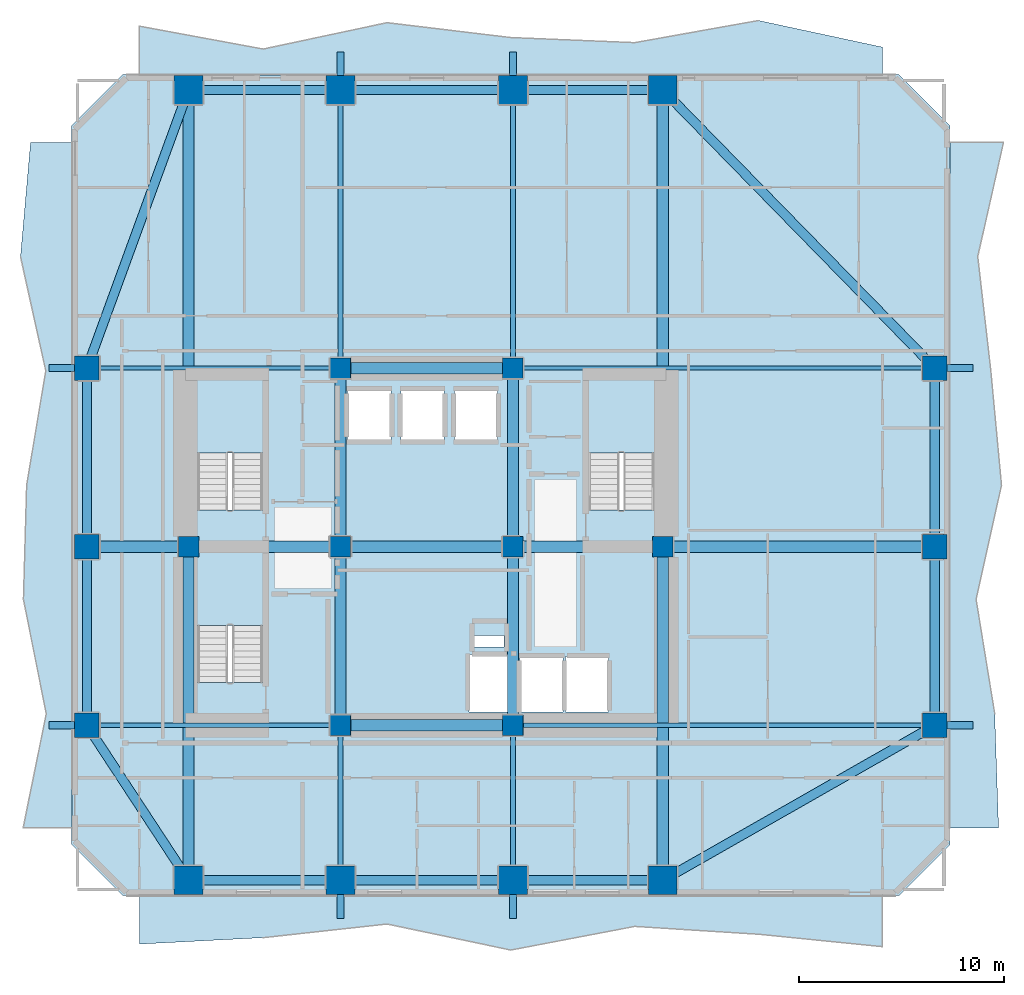
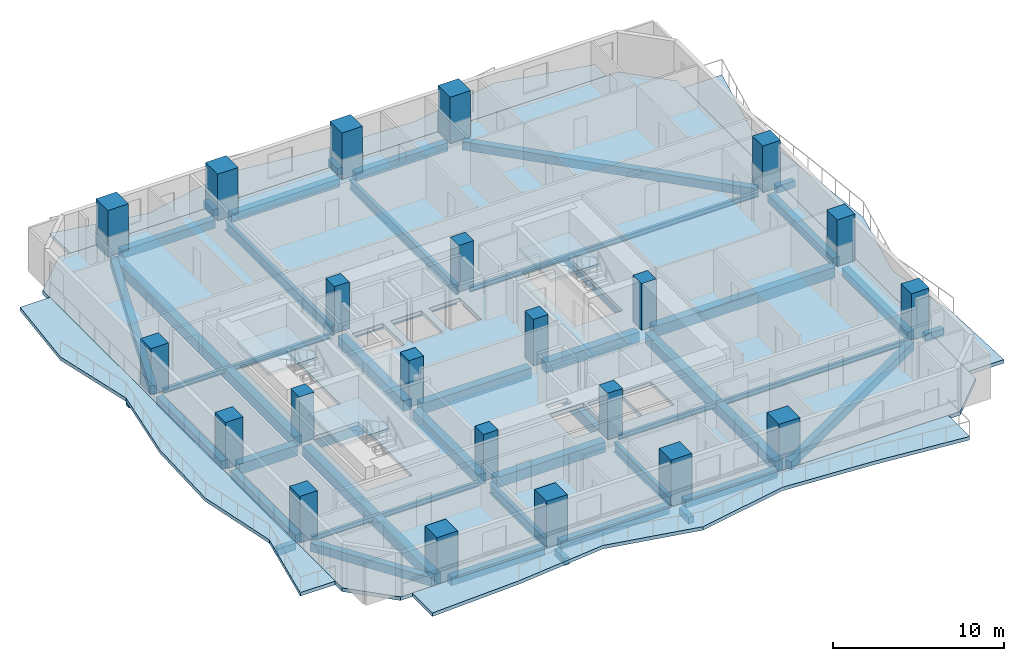
# One storey, part 1 of 11: 45 beams, 22 columns, 8 slabs, 3 elements without a shape of their own.
"""IFC4 building model written with IfcOpenShell, lengths in metres."""

from ifc_helpers import new_model, si_unit, direction, frame, origin, origin_2d, place, context, subcontext, project, spatial, polyline, rectangle, i_section, outline, extrude, material, layer, layer_set, material_profile, profile_set, type_object, element, aggregate, save


model = new_model("IFC4")

# Units and contexts
model_context = context("Model", 3, precision=1e-05, world=origin(), true_north=direction((0.0, 1.0)))
body_context = subcontext(model_context, "Body", "Model", "MODEL_VIEW")
ifc_project = project(units=[si_unit("LENGTHUNIT", "METRE"), si_unit("AREAUNIT", "SQUARE_METRE"), si_unit("VOLUMEUNIT", "CUBIC_METRE"), si_unit("PLANEANGLEUNIT", "RADIAN"), si_unit("MASSUNIT", "GRAM", prefix="KILO")], contexts=[model_context])

# Site, building, storey
site_placement = place(None, origin())
site = spatial("IfcSite", under=ifc_project, at=site_placement, CompositionType="ELEMENT")
building_placement = place(site_placement, origin())
building = spatial("IfcBuilding", under=site, at=building_placement, Name="Solanera Arch Residences", CompositionType="ELEMENT")
storey_placement = place(building_placement, frame((0.0, 0.0, 65.159912109375)))
storey = spatial("IfcBuildingStorey", under=building, at=storey_placement, Name="L18", CompositionType="ELEMENT", Elevation=65.159912109375)

# Columns
ifc_material_1 = material(Name="Concrete C55/67 (f'c = 60 MPa)", Category="concrete")
ifc_material_profile_1 = material_profile(ifc_material_1, rectangle(XDim=1.0, YDim=1.0, at=origin_2d()))
ifc_profile_set_1 = profile_set([ifc_material_profile_1], Name="Concrete C55/67 (f'c = 60 MPa)")
column_type_1 = type_object("IfcColumnType", Name="Structural Column RC-COL-1000X1000", PredefinedType="COLUMN", material=ifc_profile_set_1)
for number, where, z_axis, x_axis, name in (
    (1, (20.800048828125, 22.0, 0.0), (0.0, 0.0, 1.0), (1.0, 0.0, 0.0), "COL-L18-CB-SW"),
    (2, (29.199951171875, 22.0, 0.0), (0.0, 0.0, 1.0), (1.0, 0.0, 0.0), "COL-L18-CB-SE"),
    (3, (20.800048828125, 39.39990234375, 0.0), (0.0, 0.0, 1.0), (1.0, 0.0, 0.0), "COL-L18-CB-NW"),
    (4, (29.199951171875, 39.39990234375, 0.0), (0.0, 0.0, 1.0), (1.0, 0.0, 0.0), "COL-L18-CB-NE"),
    (5, (13.39990234375, 30.699951171875, 0.0), (0.0, 0.0, 1.0), (1.0, 0.0, 0.0), "COL-L18-CB-WW"),
    (6, (36.5, 30.699951171875, 0.0), (0.0, 0.0, 1.0), (1.0, 0.0, 0.0), "COL-L18-CB-EE"),
    (7, (20.800048828125, 30.699951171875, 0.0), (0.0, 0.0, 1.0), (1.0, 0.0, 0.0), "COL-L18-CORE-W"),
    (8, (29.199951171875, 30.699951171875, 0.0), (0.0, 0.0, 1.0), (1.0, 0.0, 0.0), "COL-L18-CORE-E"),
):
    element("IfcColumn", number, at=place(storey_placement, frame(where, z_axis=z_axis, x_axis=x_axis)), inside=storey, type_object=column_type_1, Name=name, PredefinedType="COLUMN", context=body_context, shape_type="SweptSolid", body=[
        extrude(rectangle(XDim=1.0, YDim=1.0, at=origin_2d()), origin(), (0.0, 0.0, 1.0), 3.320068359375),
    ])
ifc_material_2 = material(Name="Concrete C55/67 (f'c = 60 MPa)", Category="concrete")
ifc_material_profile_2 = material_profile(ifc_material_2, rectangle(XDim=1.199951171875, YDim=1.199951171875, at=origin_2d()))
ifc_profile_set_2 = profile_set([ifc_material_profile_2], Name="Concrete C55/67 (f'c = 60 MPa)")
column_type_2 = type_object("IfcColumnType", Name="Structural Column RC-COL-1200X1200", PredefinedType="COLUMN", material=ifc_profile_set_2)
for number, where, z_axis, x_axis, name in (
    (9, (8.449951171875, 22.0, 0.0), (0.0, 0.0, 1.0), (1.0, 0.0, 0.0), "COL-L18-TWR-09"),
    (10, (49.75, 22.0, 0.0), (0.0, 0.0, 1.0), (1.0, 0.0, 0.0), "COL-L18-TWR-10"),
    (11, (8.449951171875, 30.699951171875, 0.0), (0.0, 0.0, 1.0), (1.0, 0.0, 0.0), "COL-L18-TWR-11"),
    (12, (49.75, 30.699951171875, 0.0), (0.0, 0.0, 1.0), (1.0, 0.0, 0.0), "COL-L18-TWR-12"),
    (13, (8.449951171875, 39.39990234375, 0.0), (0.0, 0.0, 1.0), (1.0, 0.0, 0.0), "COL-L18-TWR-13"),
    (14, (49.75, 39.39990234375, 0.0), (0.0, 0.0, 1.0), (1.0, 0.0, 0.0), "COL-L18-TWR-14"),
):
    element("IfcColumn", number, at=place(storey_placement, frame(where, z_axis=z_axis, x_axis=x_axis)), inside=storey, type_object=column_type_2, Name=name, PredefinedType="COLUMN", context=body_context, shape_type="SweptSolid", body=[
        extrude(rectangle(XDim=1.199951171875, YDim=1.199951171875, at=origin_2d()), origin(), (0.0, 0.0, 1.0), 3.320068359375),
    ])
ifc_material_3 = material(Name="Concrete C55/67 (f'c = 60 MPa)", Category="concrete")
ifc_material_profile_3 = material_profile(ifc_material_3, rectangle(XDim=1.39990234375, YDim=1.39990234375, at=origin_2d()))
ifc_profile_set_3 = profile_set([ifc_material_profile_3], Name="Concrete C55/67 (f'c = 60 MPa)")
column_type_3 = type_object("IfcColumnType", Name="Structural Column RC-COL-1400X1400", PredefinedType="COLUMN", material=ifc_profile_set_3)
for number, where, z_axis, x_axis, name in (
    (15, (13.39990234375, 14.449951171875, 0.0), (0.0, 0.0, 1.0), (1.0, 0.0, 0.0), "COL-L18-TWR-01"),
    (16, (13.39990234375, 52.949951171875, 0.0), (0.0, 0.0, 1.0), (1.0, 0.0, 0.0), "COL-L18-TWR-02"),
    (17, (20.800048828125, 14.449951171875, 0.0), (0.0, 0.0, 1.0), (1.0, 0.0, 0.0), "COL-L18-TWR-03"),
    (18, (20.800048828125, 52.949951171875, 0.0), (0.0, 0.0, 1.0), (1.0, 0.0, 0.0), "COL-L18-TWR-04"),
    (19, (29.199951171875, 14.449951171875, 0.0), (0.0, 0.0, 1.0), (1.0, 0.0, 0.0), "COL-L18-TWR-05"),
    (20, (29.199951171875, 52.949951171875, 0.0), (0.0, 0.0, 1.0), (1.0, 0.0, 0.0), "COL-L18-TWR-06"),
    (21, (36.5, 14.449951171875, 0.0), (0.0, 0.0, 1.0), (1.0, 0.0, 0.0), "COL-L18-TWR-07"),
    (22, (36.5, 52.949951171875, 0.0), (0.0, 0.0, 1.0), (1.0, 0.0, 0.0), "COL-L18-TWR-08"),
):
    element("IfcColumn", number, at=place(storey_placement, frame(where, z_axis=z_axis, x_axis=x_axis)), inside=storey, type_object=column_type_3, Name=name, PredefinedType="COLUMN", context=body_context, shape_type="SweptSolid", body=[
        extrude(rectangle(XDim=1.39990234375, YDim=1.39990234375, at=origin_2d()), origin(), (0.0, 0.0, 1.0), 3.320068359375),
    ])

# Beams
ifc_material_4 = material(Name="Concrete C40/50 (f'c = 45 MPa)", Category="concrete")
ifc_material_profile_4 = material_profile(ifc_material_4, rectangle(XDim=0.35009765625, YDim=0.5, at=origin_2d()))
ifc_profile_set_4 = profile_set([ifc_material_profile_4], Name="Concrete C40/50 (f'c = 45 MPa)")
beam_type_1 = type_object("IfcBeamType", Name="BM-BALC-RIB", PredefinedType="BEAM", material=ifc_profile_set_4)
for number, where, z_axis, x_axis, name in (
    (23, (20.800048828125, 12.60009765625, -0.5), (0.0, 1.0, 0.0), (-1.0, 0.0, 0.0), "BM-L18-BRIB-S1"),
    (24, (29.199951171875, 12.60009765625, -0.5), (0.0, 1.0, 0.0), (-1.0, 0.0, 0.0), "BM-L18-BRIB-S2"),
):
    element("IfcBeam", number, at=place(storey_placement, frame(where, z_axis=z_axis, x_axis=x_axis)), inside=storey, type_object=beam_type_1, Name=name, PredefinedType="BEAM", context=body_context, shape_type="SweptSolid", body=[
        extrude(rectangle(XDim=0.35009765625, YDim=0.5, at=origin_2d()), origin(), (0.0, 0.0, 1.0), 1.14990234375),
    ])
for number, where, z_axis, x_axis, name in (
    (25, (20.800048828125, 53.64990234375, -0.5), (0.0, 1.0, 0.0), (-1.0, 0.0, 0.0), "BM-L18-BRIB-N1"),
    (26, (29.199951171875, 53.64990234375, -0.5), (0.0, 1.0, 0.0), (-1.0, 0.0, 0.0), "BM-L18-BRIB-N2"),
):
    element("IfcBeam", number, at=place(storey_placement, frame(where, z_axis=z_axis, x_axis=x_axis)), inside=storey, type_object=beam_type_1, Name=name, PredefinedType="BEAM", context=body_context, shape_type="SweptSolid", body=[
        extrude(rectangle(XDim=0.35009765625, YDim=0.5, at=origin_2d()), origin(), (0.0, 0.0, 1.0), 1.150146484375),
    ])
for number, where, z_axis, x_axis, name in (
    (27, (50.35009765625, 22.0, -0.5), (1.0, 0.0, 0.0), (0.0, 1.0, 0.0), "BM-L18-BRIB-E1"),
    (28, (50.35009765625, 39.39990234375, -0.5), (1.0, 0.0, 0.0), (0.0, 1.0, 0.0), "BM-L18-BRIB-E2"),
    (29, (6.60009765625, 22.0, -0.5), (1.0, 0.0, 0.0), (0.0, 1.0, 0.0), "BM-L18-BRIB-W1"),
    (30, (6.60009765625, 39.39990234375, -0.5), (1.0, 0.0, 0.0), (0.0, 1.0, 0.0), "BM-L18-BRIB-W2"),
):
    element("IfcBeam", number, at=place(storey_placement, frame(where, z_axis=z_axis, x_axis=x_axis)), inside=storey, type_object=beam_type_1, Name=name, PredefinedType="BEAM", context=body_context, shape_type="SweptSolid", body=[
        extrude(rectangle(XDim=0.35009765625, YDim=0.5, at=origin_2d()), origin(), (0.0, 0.0, 1.0), 1.25),
    ])
ifc_material_5 = material(Name="Concrete C40/50 (f'c = 45 MPa)", Category="concrete")
ifc_material_profile_5 = material_profile(ifc_material_5, rectangle(XDim=0.550048828125, YDim=0.75, at=origin_2d()))
ifc_profile_set_5 = profile_set([ifc_material_profile_5], Name="Concrete C40/50 (f'c = 45 MPa)")
beam_type_2 = type_object("IfcBeamType", Name="Primary Beam RC-BM-550X750", PredefinedType="BEAM", material=ifc_profile_set_5)
beam_1_placement = place(storey_placement, frame((20.800048828125, 22.50390625, -0.635009765625), z_axis=(0.0, 1.0, 0.0), x_axis=(-1.0, 0.0, 0.0)))
element("IfcBeam", 31, at=beam_1_placement, inside=storey, type_object=beam_type_2, Name="BM-L18-CC-S-208", PredefinedType="BEAM", context=body_context, shape_type="SweptSolid", body=[
    extrude(rectangle(XDim=0.550048828125, YDim=0.75, at=origin_2d()), origin(), (0.0, 0.0, 1.0), 7.692138671875),
])
beam_2_placement = place(storey_placement, frame((20.800048828125, 31.2041015625, -0.635009765625), z_axis=(0.0, 1.0, 0.0), x_axis=(-1.0, 0.0, 0.0)))
element("IfcBeam", 32, at=beam_2_placement, inside=storey, type_object=beam_type_2, Name="BM-L18-CC-N-208", PredefinedType="BEAM", context=body_context, shape_type="SweptSolid", body=[
    extrude(rectangle(XDim=0.550048828125, YDim=0.75, at=origin_2d()), origin(), (0.0, 0.0, 1.0), 7.69189453125),
])
beam_3_placement = place(storey_placement, frame((29.199951171875, 22.50390625, -0.635009765625), z_axis=(0.0, 1.0, 0.0), x_axis=(-1.0, 0.0, 0.0)))
element("IfcBeam", 33, at=beam_3_placement, inside=storey, type_object=beam_type_2, Name="BM-L18-CC-S-292", PredefinedType="BEAM", context=body_context, shape_type="SweptSolid", body=[
    extrude(rectangle(XDim=0.550048828125, YDim=0.75, at=origin_2d()), origin(), (0.0, 0.0, 1.0), 7.692138671875),
])
beam_4_placement = place(storey_placement, frame((29.199951171875, 31.2041015625, -0.635009765625), z_axis=(0.0, 1.0, 0.0), x_axis=(-1.0, 0.0, 0.0)))
element("IfcBeam", 34, at=beam_4_placement, inside=storey, type_object=beam_type_2, Name="BM-L18-CC-N-292", PredefinedType="BEAM", context=body_context, shape_type="SweptSolid", body=[
    extrude(rectangle(XDim=0.550048828125, YDim=0.75, at=origin_2d()), origin(), (0.0, 0.0, 1.0), 7.69189453125),
])
for number, where, z_axis, x_axis, name in (
    (35, (21.303955078125, 22.0, -0.635009765625), (1.0, 0.0, 0.0), (0.0, 1.0, 0.0), "BM-L18-CC-M-220"),
    (36, (21.303955078125, 30.699951171875, -0.635009765625), (1.0, 0.0, 0.0), (0.0, 1.0, 0.0), "BM-L18-CC-M-307"),
    (37, (21.303955078125, 39.39990234375, -0.635009765625), (1.0, 0.0, 0.0), (0.0, 1.0, 0.0), "BM-L18-CC-M-394"),
):
    element("IfcBeam", number, at=place(storey_placement, frame(where, z_axis=z_axis, x_axis=x_axis)), inside=storey, type_object=beam_type_2, Name=name, PredefinedType="BEAM", context=body_context, shape_type="SweptSolid", body=[
        extrude(rectangle(XDim=0.550048828125, YDim=0.75, at=origin_2d()), origin(), (0.0, 0.0, 1.0), 7.39208984375),
    ])
beam_5_placement = place(storey_placement, frame((13.904052734375, 30.699951171875, -0.635009765625), z_axis=(1.0, 0.0, 0.0), x_axis=(0.0, 1.0, 0.0)))
element("IfcBeam", 38, at=beam_5_placement, inside=storey, type_object=beam_type_2, Name="BM-L18-CC-W", PredefinedType="BEAM", context=body_context, shape_type="SweptSolid", body=[
    extrude(rectangle(XDim=0.550048828125, YDim=0.75, at=origin_2d()), origin(), (0.0, 0.0, 1.0), 6.391845703125),
])
beam_6_placement = place(storey_placement, frame((29.7041015625, 30.699951171875, -0.635009765625), z_axis=(1.0, 0.0, 0.0), x_axis=(0.0, 1.0, 0.0)))
element("IfcBeam", 39, at=beam_6_placement, inside=storey, type_object=beam_type_2, Name="BM-L18-CC-E", PredefinedType="BEAM", context=body_context, shape_type="SweptSolid", body=[
    extrude(rectangle(XDim=0.550048828125, YDim=0.75, at=origin_2d()), origin(), (0.0, 0.0, 1.0), 6.2919921875),
])
beam_7_placement = place(storey_placement, frame((13.39990234375, 14.989990234375, -0.635009765625), z_axis=(0.0, 1.0, 0.0), x_axis=(-1.0, 0.0, 0.0)))
element("IfcBeam", 40, at=beam_7_placement, inside=storey, type_object=beam_type_2, Name="BM-L18-RAD-OS-134", PredefinedType="BEAM", context=body_context, shape_type="SweptSolid", body=[
    extrude(rectangle(XDim=0.550048828125, YDim=0.75, at=origin_2d()), origin(), (0.0, 0.0, 1.0), 15.2060546875),
])
beam_8_placement = place(storey_placement, frame((13.39990234375, 31.2041015625, -0.635009765625), z_axis=(0.0, 1.0, 0.0), x_axis=(-1.0, 0.0, 0.0)))
element("IfcBeam", 41, at=beam_8_placement, inside=storey, type_object=beam_type_2, Name="BM-L18-RAD-ON-134", PredefinedType="BEAM", context=body_context, shape_type="SweptSolid", body=[
    extrude(rectangle(XDim=0.550048828125, YDim=0.75, at=origin_2d()), origin(), (0.0, 0.0, 1.0), 21.205810546875),
])
beam_9_placement = place(storey_placement, frame((36.5, 14.989990234375, -0.635009765625), z_axis=(0.0, 1.0, 0.0), x_axis=(-1.0, 0.0, 0.0)))
element("IfcBeam", 42, at=beam_9_placement, inside=storey, type_object=beam_type_2, Name="BM-L18-RAD-OS-365", PredefinedType="BEAM", context=body_context, shape_type="SweptSolid", body=[
    extrude(rectangle(XDim=0.550048828125, YDim=0.75, at=origin_2d()), origin(), (0.0, 0.0, 1.0), 15.2060546875),
])
beam_10_placement = place(storey_placement, frame((36.5, 31.2041015625, -0.635009765625), z_axis=(0.0, 1.0, 0.0), x_axis=(-1.0, 0.0, 0.0)))
element("IfcBeam", 43, at=beam_10_placement, inside=storey, type_object=beam_type_2, Name="BM-L18-RAD-ON-365", PredefinedType="BEAM", context=body_context, shape_type="SweptSolid", body=[
    extrude(rectangle(XDim=0.550048828125, YDim=0.75, at=origin_2d()), origin(), (0.0, 0.0, 1.0), 21.205810546875),
])
beam_11_placement = place(storey_placement, frame((8.989990234375, 30.699951171875, -0.635009765625), z_axis=(1.0, 0.0, 0.0), x_axis=(0.0, 1.0, 0.0)))
element("IfcBeam", 44, at=beam_11_placement, inside=storey, type_object=beam_type_2, Name="BM-L18-RAD-MW", PredefinedType="BEAM", context=body_context, shape_type="SweptSolid", body=[
    extrude(rectangle(XDim=0.550048828125, YDim=0.75, at=origin_2d()), origin(), (0.0, 0.0, 1.0), 3.906005859375),
])
beam_12_placement = place(storey_placement, frame((37.00390625, 30.699951171875, -0.635009765625), z_axis=(1.0, 0.0, 0.0), x_axis=(0.0, 1.0, 0.0)))
element("IfcBeam", 45, at=beam_12_placement, inside=storey, type_object=beam_type_2, Name="BM-L18-RAD-ME", PredefinedType="BEAM", context=body_context, shape_type="SweptSolid", body=[
    extrude(rectangle(XDim=0.550048828125, YDim=0.75, at=origin_2d()), origin(), (0.0, 0.0, 1.0), 12.2060546875),
])
ifc_material_6 = material(Name="Steel S355 (ASTM A992 / A572 Grade 50)", Category="steel")
ifc_material_profile_6 = material_profile(ifc_material_6, i_section(OverallWidth=0.256103515625, OverallDepth=0.693115234375, WebThickness=0.014404296875, FlangeThickness=0.023681640625, at=origin_2d()))
ifc_profile_set_6 = profile_set([ifc_material_profile_6], Name="Steel S355 (ASTM A992 / A572 Grade 50)")
beam_type_3 = type_object("IfcBeamType", Name="Primary Beam W690X170", PredefinedType="BEAM", material=ifc_profile_set_6)
beam_13_placement = place(storey_placement, frame((20.800048828125, 14.989990234375, -0.60693359375), z_axis=(0.0, 1.0, 0.0), x_axis=(-1.0, 0.0, 0.0)))
element("IfcBeam", 46, at=beam_13_placement, inside=storey, type_object=beam_type_3, Name="BM-L18-RAD-S-208", PredefinedType="BEAM", context=body_context, shape_type="SweptSolid", body=[
    extrude(i_section(OverallWidth=0.256103515625, OverallDepth=0.693115234375, WebThickness=0.014404296875, FlangeThickness=0.023681640625, at=origin_2d()), origin(), (0.0, 0.0, 1.0), 6.506103515625),
])
beam_14_placement = place(storey_placement, frame((20.800048828125, 39.904052734375, -0.60693359375), z_axis=(0.0, 1.0, 0.0), x_axis=(-1.0, 0.0, 0.0)))
element("IfcBeam", 47, at=beam_14_placement, inside=storey, type_object=beam_type_3, Name="BM-L18-RAD-N-208", PredefinedType="BEAM", context=body_context, shape_type="SweptSolid", body=[
    extrude(i_section(OverallWidth=0.256103515625, OverallDepth=0.693115234375, WebThickness=0.014404296875, FlangeThickness=0.023681640625, at=origin_2d()), origin(), (0.0, 0.0, 1.0), 12.505859375),
])
beam_15_placement = place(storey_placement, frame((29.199951171875, 14.989990234375, -0.60693359375), z_axis=(0.0, 1.0, 0.0), x_axis=(-1.0, 0.0, 0.0)))
element("IfcBeam", 48, at=beam_15_placement, inside=storey, type_object=beam_type_3, Name="BM-L18-RAD-S-292", PredefinedType="BEAM", context=body_context, shape_type="SweptSolid", body=[
    extrude(i_section(OverallWidth=0.256103515625, OverallDepth=0.693115234375, WebThickness=0.014404296875, FlangeThickness=0.023681640625, at=origin_2d()), origin(), (0.0, 0.0, 1.0), 6.506103515625),
])
beam_16_placement = place(storey_placement, frame((29.199951171875, 39.904052734375, -0.60693359375), z_axis=(0.0, 1.0, 0.0), x_axis=(-1.0, 0.0, 0.0)))
element("IfcBeam", 49, at=beam_16_placement, inside=storey, type_object=beam_type_3, Name="BM-L18-RAD-N-292", PredefinedType="BEAM", context=body_context, shape_type="SweptSolid", body=[
    extrude(i_section(OverallWidth=0.256103515625, OverallDepth=0.693115234375, WebThickness=0.014404296875, FlangeThickness=0.023681640625, at=origin_2d()), origin(), (0.0, 0.0, 1.0), 12.505859375),
])
ifc_material_7 = material(Name="Steel S355 (ASTM A992 / A572 Grade 50)", Category="steel")
ifc_material_profile_7 = material_profile(ifc_material_7, i_section(OverallWidth=0.205078125, OverallDepth=0.35400390625, WebThickness=0.009521484375, FlangeThickness=0.016845703125, at=origin_2d()))
ifc_profile_set_7 = profile_set([ifc_material_profile_7], Name="Steel S355 (ASTM A992 / A572 Grade 50)")
beam_type_4 = type_object("IfcBeamType", Name="Secondary Joist W360X79", PredefinedType="JOIST", material=ifc_profile_set_7)
beam_17_placement = place(storey_placement, frame((8.989990234375, 22.0, -0.43701171875), z_axis=(1.0, 0.0, 0.0), x_axis=(0.0, 1.0, 0.0)))
element("IfcBeam", 50, at=beam_17_placement, inside=storey, type_object=beam_type_4, Name="BM-L18-RAD-W-220", PredefinedType="JOIST", context=body_context, shape_type="SweptSolid", body=[
    extrude(i_section(OverallWidth=0.205078125, OverallDepth=0.35400390625, WebThickness=0.009521484375, FlangeThickness=0.016845703125, at=origin_2d()), origin(), (0.0, 0.0, 1.0), 11.305908203125),
])
beam_18_placement = place(storey_placement, frame((29.7041015625, 22.0, -0.43701171875), z_axis=(1.0, 0.0, 0.0), x_axis=(0.0, 1.0, 0.0)))
element("IfcBeam", 51, at=beam_18_placement, inside=storey, type_object=beam_type_4, Name="BM-L18-RAD-E-220", PredefinedType="JOIST", context=body_context, shape_type="SweptSolid", body=[
    extrude(i_section(OverallWidth=0.205078125, OverallDepth=0.35400390625, WebThickness=0.009521484375, FlangeThickness=0.016845703125, at=origin_2d()), origin(), (0.0, 0.0, 1.0), 19.505859375),
])
beam_19_placement = place(storey_placement, frame((8.989990234375, 39.39990234375, -0.43701171875), z_axis=(1.0, 0.0, 0.0), x_axis=(0.0, 1.0, 0.0)))
element("IfcBeam", 52, at=beam_19_placement, inside=storey, type_object=beam_type_4, Name="BM-L18-RAD-W-394", PredefinedType="JOIST", context=body_context, shape_type="SweptSolid", body=[
    extrude(i_section(OverallWidth=0.205078125, OverallDepth=0.35400390625, WebThickness=0.009521484375, FlangeThickness=0.016845703125, at=origin_2d()), origin(), (0.0, 0.0, 1.0), 11.305908203125),
])
beam_20_placement = place(storey_placement, frame((29.7041015625, 39.39990234375, -0.43701171875), z_axis=(1.0, 0.0, 0.0), x_axis=(0.0, 1.0, 0.0)))
element("IfcBeam", 53, at=beam_20_placement, inside=storey, type_object=beam_type_4, Name="BM-L18-RAD-E-394", PredefinedType="JOIST", context=body_context, shape_type="SweptSolid", body=[
    extrude(i_section(OverallWidth=0.205078125, OverallDepth=0.35400390625, WebThickness=0.009521484375, FlangeThickness=0.016845703125, at=origin_2d()), origin(), (0.0, 0.0, 1.0), 19.505859375),
])
ifc_material_8 = material(Name="Concrete C40/50 (f'c = 45 MPa)", Category="concrete")
ifc_material_profile_8 = material_profile(ifc_material_8, rectangle(XDim=0.449951171875, YDim=0.60009765625, at=origin_2d()))
ifc_profile_set_8 = profile_set([ifc_material_profile_8], Name="Concrete C40/50 (f'c = 45 MPa)")
beam_type_5 = type_object("IfcBeamType", Name="Spandrel Beam RC-BM-450X600", PredefinedType="SPANDREL", material=ifc_profile_set_8)
for number, where, z_axis, x_axis, name in (
    (54, (13.93994140625, 14.449951171875, -0.559814453125), (1.0, 0.0, 0.0), (0.0, 1.0, 0.0), "BM-L18-SPN-S-1"),
    (55, (13.93994140625, 52.949951171875, -0.559814453125), (1.0, 0.0, 0.0), (0.0, 1.0, 0.0), "BM-L18-SPN-N-1"),
):
    element("IfcBeam", number, at=place(storey_placement, frame(where, z_axis=z_axis, x_axis=x_axis)), inside=storey, type_object=beam_type_5, Name=name, PredefinedType="SPANDREL", context=body_context, shape_type="SweptSolid", body=[
        extrude(rectangle(XDim=0.449951171875, YDim=0.60009765625, at=origin_2d()), origin(), (0.0, 0.0, 1.0), 6.320068359375),
    ])
for number, where, z_axis, x_axis, name in (
    (56, (21.340087890625, 14.449951171875, -0.559814453125), (1.0, 0.0, 0.0), (0.0, 1.0, 0.0), "BM-L18-SPN-S-2"),
    (57, (21.340087890625, 52.949951171875, -0.559814453125), (1.0, 0.0, 0.0), (0.0, 1.0, 0.0), "BM-L18-SPN-N-2"),
):
    element("IfcBeam", number, at=place(storey_placement, frame(where, z_axis=z_axis, x_axis=x_axis)), inside=storey, type_object=beam_type_5, Name=name, PredefinedType="SPANDREL", context=body_context, shape_type="SweptSolid", body=[
        extrude(rectangle(XDim=0.449951171875, YDim=0.60009765625, at=origin_2d()), origin(), (0.0, 0.0, 1.0), 7.31982421875),
    ])
for number, where, z_axis, x_axis, name in (
    (58, (29.739990234375, 14.449951171875, -0.559814453125), (1.0, 0.0, 0.0), (0.0, 1.0, 0.0), "BM-L18-SPN-S-3"),
    (59, (29.739990234375, 52.949951171875, -0.559814453125), (1.0, 0.0, 0.0), (0.0, 1.0, 0.0), "BM-L18-SPN-N-3"),
):
    element("IfcBeam", number, at=place(storey_placement, frame(where, z_axis=z_axis, x_axis=x_axis)), inside=storey, type_object=beam_type_5, Name=name, PredefinedType="SPANDREL", context=body_context, shape_type="SweptSolid", body=[
        extrude(rectangle(XDim=0.449951171875, YDim=0.60009765625, at=origin_2d()), origin(), (0.0, 0.0, 1.0), 6.219970703125),
    ])
for number, where, z_axis, x_axis, name in (
    (60, (8.449951171875, 22.5400390625, -0.559814453125), (0.0, 1.0, 0.0), (-1.0, 0.0, 0.0), "BM-L18-SPN-W-1"),
    (61, (49.75, 22.5400390625, -0.559814453125), (0.0, 1.0, 0.0), (-1.0, 0.0, 0.0), "BM-L18-SPN-E-1"),
):
    element("IfcBeam", number, at=place(storey_placement, frame(where, z_axis=z_axis, x_axis=x_axis)), inside=storey, type_object=beam_type_5, Name=name, PredefinedType="SPANDREL", context=body_context, shape_type="SweptSolid", body=[
        extrude(rectangle(XDim=0.449951171875, YDim=0.60009765625, at=origin_2d()), origin(), (0.0, 0.0, 1.0), 7.619873046875),
    ])
for number, where, z_axis, x_axis, name in (
    (62, (8.449951171875, 31.239990234375, -0.559814453125), (0.0, 1.0, 0.0), (-1.0, 0.0, 0.0), "BM-L18-SPN-W-2"),
    (63, (49.75, 31.239990234375, -0.559814453125), (0.0, 1.0, 0.0), (-1.0, 0.0, 0.0), "BM-L18-SPN-E-2"),
):
    element("IfcBeam", number, at=place(storey_placement, frame(where, z_axis=z_axis, x_axis=x_axis)), inside=storey, type_object=beam_type_5, Name=name, PredefinedType="SPANDREL", context=body_context, shape_type="SweptSolid", body=[
        extrude(rectangle(XDim=0.449951171875, YDim=0.60009765625, at=origin_2d()), origin(), (0.0, 0.0, 1.0), 7.6201171875),
    ])
beam_21_placement = place(storey_placement, frame((13.10400390625, 14.902099609375, -0.559814453125), z_axis=(-0.548346397052, 0.836251295269, 0.0), x_axis=(-0.836251295269, -0.548346397052, 0.0)))
element("IfcBeam", 64, at=beam_21_placement, inside=storey, type_object=beam_type_5, Name="BM-L18-SPN-SW", PredefinedType="SPANDREL", context=body_context, shape_type="SweptSolid", body=[
    extrude(rectangle(XDim=0.449951171875, YDim=0.60009765625, at=origin_2d()), origin(), (0.0, 0.0, 1.0), 7.947265625),
])
beam_22_placement = place(storey_placement, frame((13.215087890625, 52.443115234375, -0.559814453125), z_axis=(-0.343164401189, -0.939275355663, 0.0), x_axis=(0.939275355663, -0.343164401189, 0.0)))
element("IfcBeam", 65, at=beam_22_placement, inside=storey, type_object=beam_type_5, Name="BM-L18-SPN-NW", PredefinedType="SPANDREL", context=body_context, shape_type="SweptSolid", body=[
    extrude(rectangle(XDim=0.449951171875, YDim=0.60009765625, at=origin_2d()), origin(), (0.0, 0.0, 1.0), 13.3466796875),
])
beam_23_placement = place(storey_placement, frame((36.968994140625, 14.717041015625, -0.559814453125), z_axis=(0.868837301814, 0.495097710534, 0.0), x_axis=(-0.495097710534, 0.868837301814, 0.0)))
element("IfcBeam", 66, at=beam_23_placement, inside=storey, type_object=beam_type_5, Name="BM-L18-SPN-SE", PredefinedType="SPANDREL", context=body_context, shape_type="SweptSolid", body=[
    extrude(rectangle(XDim=0.449951171875, YDim=0.60009765625, at=origin_2d()), origin(), (0.0, 0.0, 1.0), 14.170654296875),
])
beam_24_placement = place(storey_placement, frame((36.8779296875, 52.56396484375, -0.559814453125), z_axis=(0.699118252724, -0.715006062008, 0.0), x_axis=(0.715006062008, 0.699118252724, 0.0)))
element("IfcBeam", 67, at=beam_24_placement, inside=storey, type_object=beam_type_5, Name="BM-L18-SPN-NE", PredefinedType="SPANDREL", context=body_context, shape_type="SweptSolid", body=[
    extrude(rectangle(XDim=0.449951171875, YDim=0.60009765625, at=origin_2d()), origin(), (0.0, 0.0, 1.0), 17.871337890625),
])

# Slabs
ifc_material_9 = material(Name="Concrete C40/50 (f'c = 45 MPa)", Category="concrete")
ifc_layer_1 = layer(ifc_material_9, 0.25)
ifc_layer_set_1 = layer_set([ifc_layer_1], Name="Concrete C40/50 (f'c = 45 MPa)")
slab_type_1 = type_object("IfcSlabType", Name="Balcony Slab 250", PredefinedType="FLOOR", material=ifc_layer_set_1)
slab_1_placement = place(storey_placement, frame((0.0, 0.0, -0.25)))
element("IfcSlab", 68, at=slab_1_placement, inside=storey, type_object=slab_type_1, Name="L18 S Rippling Brise-Soleil Balcony Slab", PredefinedType="FLOOR", context=body_context, shape_type="SweptSolid", body=[
    extrude(outline(polyline([(11.0, 11.343017578125), (17.032958984375, 11.657958984375), (23.06689453125, 12.322998046875), (29.10009765625, 11.054931640625), (35.133056640625, 12.20703125), (41.1669921875, 11.824951171875), (47.199951171875, 11.219970703125), (47.199951171875, 13.719970703125), (11.0, 13.719970703125), (11.0, 11.343017578125)])), origin(), (0.0, 0.0, 1.0), 0.25),
])
slab_2_placement = place(storey_placement, frame((0.0, 0.0, -0.25)))
element("IfcSlab", 69, at=slab_2_placement, inside=storey, type_object=slab_type_1, Name="L18 N Rippling Brise-Soleil Balcony Slab", PredefinedType="FLOOR", context=body_context, shape_type="SweptSolid", body=[
    extrude(outline(polyline([(47.199951171875, 55.034912109375), (41.1669921875, 56.33203125), (35.133056640625, 55.2529296875), (29.10009765625, 55.5009765625), (23.06689453125, 56.22509765625), (17.032958984375, 54.93994140625), (11.0, 56.056884765625), (11.0, 53.679931640625), (47.199951171875, 53.679931640625), (47.199951171875, 55.034912109375)])), origin(), (0.0, 0.0, 1.0), 0.25),
])
slab_3_placement = place(storey_placement, frame((0.0, 0.0, -0.25)))
element("IfcSlab", 70, at=slab_3_placement, inside=storey, type_object=slab_type_1, Name="L18 E Rippling Brise-Soleil Balcony Slab", PredefinedType="FLOOR", context=body_context, shape_type="SweptSolid", body=[
    extrude(outline(polyline([(52.85693359375, 17.0), (52.66796875, 22.56689453125), (51.759033203125, 28.133056640625), (52.998046875, 33.699951171875), (52.47705078125, 39.26708984375), (51.840087890625, 44.8330078125), (53.095947265625, 50.39990234375), (50.47998046875, 50.39990234375), (50.47998046875, 17.0), (52.85693359375, 17.0)])), origin(), (0.0, 0.0, 1.0), 0.25),
])
slab_4_placement = place(storey_placement, frame((0.0, 0.0, -0.25)))
element("IfcSlab", 71, at=slab_4_placement, inside=storey, type_object=slab_type_1, Name="L18 W Rippling Brise-Soleil Balcony Slab", PredefinedType="FLOOR", context=body_context, shape_type="SweptSolid", body=[
    extrude(outline(polyline([(5.7041015625, 50.39990234375), (5.214111328125, 44.8330078125), (6.446044921875, 39.26708984375), (5.513916015625, 33.699951171875), (5.35791015625, 28.133056640625), (6.469970703125, 22.56689453125), (5.343017578125, 17.0), (7.719970703125, 17.0), (7.719970703125, 50.39990234375), (5.7041015625, 50.39990234375)])), origin(), (0.0, 0.0, 1.0), 0.25),
])

# Stair, slab
ifc_material_10 = material(Name="Concrete C40/50 (f'c = 45 MPa)", Category="concrete")
stair_type = type_object("IfcStairType", Name="Tower Dogleg Exit Stair 1480", PredefinedType="HALF_TURN_STAIR", material=ifc_material_10)
stair_1_placement = place(storey_placement, origin())
stair_1 = element("IfcStair", 72, at=stair_1_placement, inside=storey, type_object=stair_type, Name="L18 Tower Core Exit Stair 1", PredefinedType="HALF_TURN_STAIR")
ifc_material_11 = material(Name="Concrete C40/50 (f'c = 45 MPa)", Category="concrete")
ifc_layer_2 = layer(ifc_material_11, 0.199951171875)
ifc_layer_set_2 = layer_set([ifc_layer_2], Name="Concrete C40/50 (f'c = 45 MPa)")
slab_type_2 = type_object("IfcSlabType", Name="Stair Half-Landing Slab 200", PredefinedType="LANDING", material=ifc_layer_set_2)
slab_5_placement = place(storey_placement, frame((0.0, 0.0, 1.460205078125)))
slab_5 = element("IfcSlab", 73, at=slab_5_placement, type_object=slab_type_2, Name="ST-T1 landing 1", PredefinedType="LANDING", context=body_context, shape_type="SweptSolid", body=[
    extrude(outline(polyline([(17.1201171875, 35.260009765625), (17.1201171875, 38.919921875), (13.719970703125, 38.919921875), (13.719970703125, 35.260009765625), (17.1201171875, 35.260009765625)])), origin(), (0.0, 0.0, 1.0), 0.199951171875),
])
aggregate(stair_1, [slab_5])

stair_2_placement = place(storey_placement, origin())
stair_2 = element("IfcStair", 74, at=stair_2_placement, inside=storey, type_object=stair_type, Name="L18 Tower Core Exit Stair 2", PredefinedType="HALF_TURN_STAIR")
slab_6_placement = place(storey_placement, frame((0.0, 0.0, 1.460205078125)))
slab_6 = element("IfcSlab", 75, at=slab_6_placement, type_object=slab_type_2, Name="ST-T2 landing 1", PredefinedType="LANDING", context=body_context, shape_type="SweptSolid", body=[
    extrude(outline(polyline([(36.179931640625, 35.260009765625), (36.179931640625, 38.919921875), (32.780029296875, 38.919921875), (32.780029296875, 35.260009765625), (36.179931640625, 35.260009765625)])), origin(), (0.0, 0.0, 1.0), 0.199951171875),
])
aggregate(stair_2, [slab_6])

stair_3_placement = place(storey_placement, origin())
stair_3 = element("IfcStair", 76, at=stair_3_placement, inside=storey, type_object=stair_type, Name="L18 Tower Core Exit Stair 3", PredefinedType="HALF_TURN_STAIR")
slab_7_placement = place(storey_placement, frame((0.0, 0.0, 1.460205078125)))
slab_7 = element("IfcSlab", 77, at=slab_7_placement, type_object=slab_type_2, Name="ST-T3 landing 1", PredefinedType="LANDING", context=body_context, shape_type="SweptSolid", body=[
    extrude(outline(polyline([(17.1201171875, 26.860107421875), (17.1201171875, 30.52001953125), (13.719970703125, 30.52001953125), (13.719970703125, 26.860107421875), (17.1201171875, 26.860107421875)])), origin(), (0.0, 0.0, 1.0), 0.199951171875),
])
aggregate(stair_3, [slab_7])

# Slab
ifc_material_12 = material(Name="Concrete C40/50 (f'c = 45 MPa)", Category="concrete")
ifc_layer_3 = layer(ifc_material_12, 0.260009765625)
ifc_layer_set_3 = layer_set([ifc_layer_3], Name="Concrete C40/50 (f'c = 45 MPa)")
slab_type_3 = type_object("IfcSlabType", Name="Suspended Floor Slab Post-Tensioned 260", PredefinedType="FLOOR", material=ifc_layer_set_3)
slab_8_placement = place(storey_placement, frame((0.0, 0.0, -0.260009765625)))
element("IfcSlab", 78, at=slab_8_placement, inside=storey, type_object=slab_type_3, Name="L18 Tower Post-Tensioned Floor Slab", PredefinedType="FLOOR", context=body_context, shape_type="SweptSolid", body=[
    extrude(outline(polyline([(10.199951171875, 13.699951171875), (48.0, 13.699951171875), (50.5, 16.199951171875), (50.5, 51.199951171875), (48.0, 53.699951171875), (10.199951171875, 53.699951171875), (7.699951171875, 51.199951171875), (7.699951171875, 16.199951171875), (10.199951171875, 13.699951171875)]), holes=[polyline([(13.840087890625, 32.48291015625), (13.840087890625, 38.800048828125), (17.0, 38.800048828125), (17.0, 32.48291015625), (13.840087890625, 32.48291015625)]), polyline([(32.89990234375, 32.48291015625), (32.89990234375, 38.800048828125), (36.06005859375, 38.800048828125), (36.06005859375, 32.48291015625), (32.89990234375, 32.48291015625)]), polyline([(13.840087890625, 24.0830078125), (13.840087890625, 30.39990234375), (17.0, 30.39990234375), (17.0, 24.0830078125), (13.840087890625, 24.0830078125)]), polyline([(21.14990234375, 38.35009765625), (23.25, 38.35009765625), (23.25, 35.85009765625), (21.14990234375, 35.85009765625), (21.14990234375, 38.35009765625)]), polyline([(23.75, 38.35009765625), (25.85009765625, 38.35009765625), (25.85009765625, 35.85009765625), (23.75, 35.85009765625), (23.75, 38.35009765625)]), polyline([(26.35009765625, 38.35009765625), (28.449951171875, 38.35009765625), (28.449951171875, 35.85009765625), (26.35009765625, 35.85009765625), (26.35009765625, 38.35009765625)]), polyline([(29.550048828125, 25.35009765625), (31.64990234375, 25.35009765625), (31.64990234375, 22.64990234375), (29.550048828125, 22.64990234375), (29.550048828125, 25.35009765625)]), polyline([(31.75, 25.35009765625), (33.85009765625, 25.35009765625), (33.85009765625, 22.64990234375), (31.75, 22.64990234375), (31.75, 25.35009765625)]), polyline([(27.050048828125, 25.449951171875), (29.35009765625, 25.449951171875), (29.35009765625, 22.64990234375), (27.050048828125, 22.64990234375), (27.050048828125, 25.449951171875)]), polyline([(27.340087890625, 26.3798828125), (28.760009765625, 26.3798828125), (28.760009765625, 25.820068359375), (27.340087890625, 25.820068359375), (27.340087890625, 26.3798828125)])]), origin(), (0.0, 0.0, 1.0), 0.260009765625),
])

save(model, "model.ifc")
